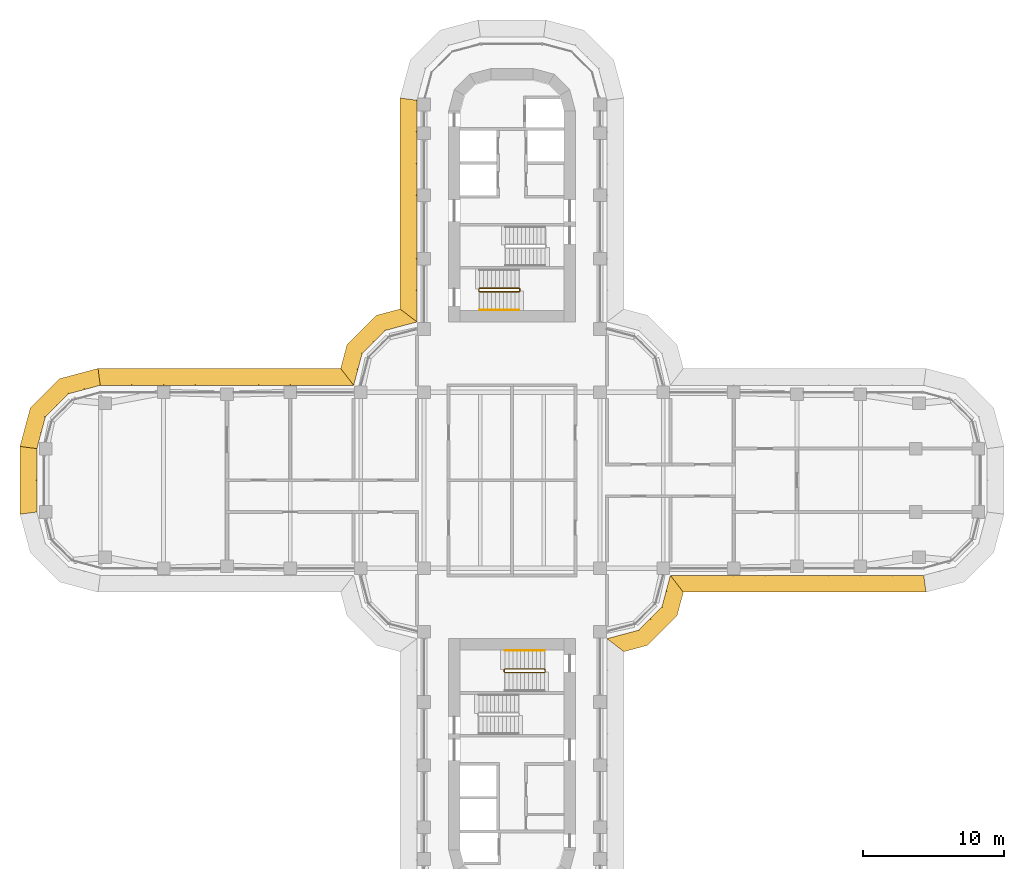
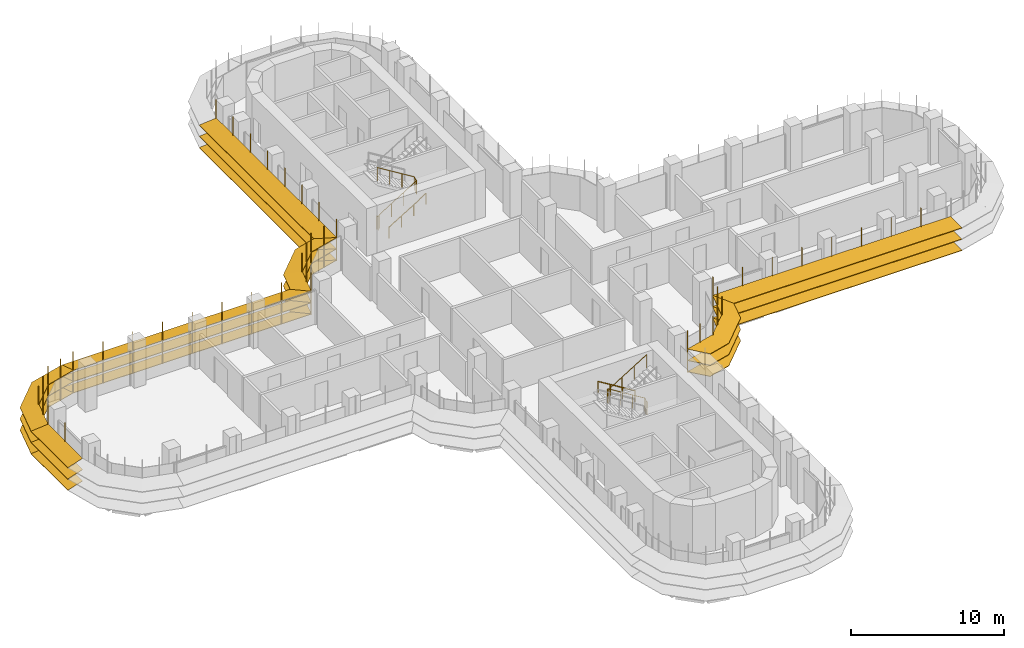
# One storey, part 20 of 22: 7 shading devices, 4 railings.
"""IFC4 building model written with IfcOpenShell, lengths in metres."""

from ifc_helpers import new_model, si_unit, direction, frame, origin, origin_2d, place, context, subcontext, project, spatial, polyline, circle, outline, extrude, faceted_brep, source, transform, mapped, material, type_object, element, save


model = new_model("IFC4")

# Units and contexts
model_context = context("Model", 3, precision=1e-05, world=origin(), true_north=direction((0.0, 1.0)))
body_context = subcontext(model_context, "Body", "Model", "MODEL_VIEW")
ifc_project = project(units=[si_unit("LENGTHUNIT", "METRE"), si_unit("AREAUNIT", "SQUARE_METRE"), si_unit("VOLUMEUNIT", "CUBIC_METRE"), si_unit("PLANEANGLEUNIT", "RADIAN"), si_unit("MASSUNIT", "GRAM", prefix="KILO")], contexts=[model_context])

# Site, building, storey
site_placement = place(None, origin())
site = spatial("IfcSite", under=ifc_project, at=site_placement, CompositionType="ELEMENT")
building_placement = place(site_placement, origin())
building = spatial("IfcBuilding", under=site, at=building_placement, Name="Zarbagh Exchange Tower", CompositionType="ELEMENT")
storey_placement = place(building_placement, frame((0.0, 0.0, 109.39990234375)))
storey = spatial("IfcBuildingStorey", under=building, at=storey_placement, Name="L25", CompositionType="ELEMENT", Elevation=109.39990234375)

# Railings
ifc_material_1 = material(Name="Stainless steel", Category="steel")
railing_type_1 = type_object("IfcRailingType", Name="Stair guard 1100 mm", PredefinedType="GUARDRAIL", material=ifc_material_1)
railing_1_placement = place(storey_placement, frame((-2.35009765625, 13.60009765625, 0.0)))
element("IfcRailing", 1, at=railing_1_placement, inside=storey, type_object=railing_type_1, Name="ST2 stair guard 1", PredefinedType="GUARDRAIL", context=body_context, shape_type="SweptSolid", body=[
    extrude(circle(Radius=0.02392578125, at=origin_2d()), frame((0.0, 0.0, 1.076171875), z_axis=(0.0, -1.0, 0.0), x_axis=(1.0, 0.0, 0.0)), (0.0, 0.0, 1.0), 0.150146484375),
    extrude(circle(Radius=0.02392578125, at=origin_2d()), frame((0.0, -0.150146484375, 1.076171875), z_axis=(0.267953482034, -0.267953482034, 0.925419830635), x_axis=(0.707106781187, 0.707106781187, 0.0)), (0.0, 0.0, 1.0), 0.186767578125),
    extrude(circle(Radius=0.02392578125, at=origin_2d()), frame((0.050048828125, -0.2001953125, 1.2490234375), z_axis=(0.851089632645, 0.0, 0.525020415988), x_axis=(0.0, 1.0, 0.0)), (0.0, 0.0, 1.0), 3.2900390625),
    extrude(circle(Radius=0.02392578125, at=origin_2d()), frame((2.85009765625, -0.2001953125, 2.97607421875), z_axis=(0.707106781187, 0.707106781187, 0.0), x_axis=(-0.707106781187, 0.707106781187, 0.0)), (0.0, 0.0, 1.0), 0.07080078125),
    extrude(circle(Radius=0.02392578125, at=origin_2d()), frame((2.900146484375, -0.150146484375, 2.97607421875), z_axis=(0.0, 1.0, 0.0), x_axis=(-1.0, 0.0, 0.0)), (0.0, 0.0, 1.0), 0.150146484375),
    extrude(circle(Radius=0.02392578125, at=origin_2d()), frame((2.900146484375, 0.0, 2.97607421875), z_axis=(-0.268371968888, 0.267062837333, 0.925556009775), x_axis=(-0.705375805398, -0.708833529934, 0.0)), (0.0, 0.0, 1.0), 0.1865234375),
    extrude(circle(Radius=0.02392578125, at=origin_2d()), frame((2.85009765625, 0.0498046875, 3.14892578125), z_axis=(-0.851089632645, 0.0, 0.525020415988), x_axis=(0.0, -1.0, 0.0)), (0.0, 0.0, 1.0), 3.2900390625),
    extrude(circle(Radius=0.02099609375, at=origin_2d()), origin(), (0.0, 0.0, 1.0), 1.052001953125),
    extrude(circle(Radius=0.02099609375, at=origin_2d()), frame((0.0, -0.150146484375, 0.0)), (0.0, 0.0, 1.0), 1.052001953125),
    extrude(circle(Radius=0.02099609375, at=origin_2d()), frame((0.050048828125, -0.2001953125, 0.1728515625)), (0.0, 0.0, 1.0), 1.052001953125),
    extrude(circle(Radius=0.02099609375, at=origin_2d()), frame((0.9833984375, -0.2001953125, 0.74853515625)), (0.0, 0.0, 1.0), 1.052001953125),
    extrude(circle(Radius=0.02099609375, at=origin_2d()), frame((1.916748046875, -0.2001953125, 1.324462890625)), (0.0, 0.0, 1.0), 1.052001953125),
    extrude(circle(Radius=0.02099609375, at=origin_2d()), frame((2.85009765625, -0.2001953125, 1.900146484375)), (0.0, 0.0, 1.0), 1.052001953125),
    extrude(circle(Radius=0.02099609375, at=origin_2d()), frame((2.900146484375, -0.150146484375, 1.900146484375)), (0.0, 0.0, 1.0), 1.052001953125),
    extrude(circle(Radius=0.02099609375, at=origin_2d()), frame((2.900146484375, 0.0, 1.900146484375)), (0.0, 0.0, 1.0), 1.052001953125),
    extrude(circle(Radius=0.02099609375, at=origin_2d()), frame((2.85009765625, 0.0498046875, 2.07275390625)), (0.0, 0.0, 1.0), 1.052001953125),
    extrude(circle(Radius=0.02099609375, at=origin_2d()), frame((1.916748046875, 0.0498046875, 2.6484375)), (0.0, 0.0, 1.0), 1.052001953125),
    extrude(circle(Radius=0.02099609375, at=origin_2d()), frame((0.9833984375, 0.0498046875, 3.224365234375)), (0.0, 0.0, 1.0), 1.052001953125),
    extrude(circle(Radius=0.02099609375, at=origin_2d()), frame((0.050048828125, 0.0498046875, 3.800048828125)), (0.0, 0.0, 1.0), 1.052001953125),
])
railing_2_placement = place(storey_placement, frame((2.35009765625, -13.60009765625, 0.0)))
element("IfcRailing", 2, at=railing_2_placement, inside=storey, type_object=railing_type_1, Name="ST4 stair guard 1", PredefinedType="GUARDRAIL", context=body_context, shape_type="SweptSolid", body=[
    extrude(circle(Radius=0.02392578125, at=origin_2d()), frame((0.0, 0.0, 1.076171875), z_axis=(0.0, 1.0, 0.0), x_axis=(-1.0, 0.0, 0.0)), (0.0, 0.0, 1.0), 0.150146484375),
    extrude(circle(Radius=0.02392578125, at=origin_2d()), frame((0.0, 0.150146484375, 1.076171875), z_axis=(-0.267953482034, 0.267953482034, 0.925419830635), x_axis=(-0.707106781187, -0.707106781187, 0.0)), (0.0, 0.0, 1.0), 0.186767578125),
    extrude(circle(Radius=0.02392578125, at=origin_2d()), frame((-0.050048828125, 0.2001953125, 1.2490234375), z_axis=(-0.851089632645, 0.0, 0.525020415988), x_axis=(0.0, -1.0, 0.0)), (0.0, 0.0, 1.0), 3.2900390625),
    extrude(circle(Radius=0.02392578125, at=origin_2d()), frame((-2.85009765625, 0.2001953125, 2.97607421875), z_axis=(-0.707106781187, -0.707106781187, 0.0), x_axis=(0.707106781187, -0.707106781187, 0.0)), (0.0, 0.0, 1.0), 0.07080078125),
    extrude(circle(Radius=0.02392578125, at=origin_2d()), frame((-2.900146484375, 0.150146484375, 2.97607421875), z_axis=(0.0, -1.0, 0.0), x_axis=(1.0, 0.0, 0.0)), (0.0, 0.0, 1.0), 0.150146484375),
    extrude(circle(Radius=0.02392578125, at=origin_2d()), frame((-2.900146484375, 0.0, 2.97607421875), z_axis=(0.268371968888, -0.267062837333, 0.925556009775), x_axis=(0.705375805398, 0.708833529934, 0.0)), (0.0, 0.0, 1.0), 0.1865234375),
    extrude(circle(Radius=0.02392578125, at=origin_2d()), frame((-2.85009765625, -0.0498046875, 3.14892578125), z_axis=(0.851089632645, 0.0, 0.525020415988), x_axis=(0.0, 1.0, 0.0)), (0.0, 0.0, 1.0), 3.2900390625),
    extrude(circle(Radius=0.02099609375, at=origin_2d()), origin(), (0.0, 0.0, 1.0), 1.052001953125),
    extrude(circle(Radius=0.02099609375, at=origin_2d()), frame((0.0, 0.150146484375, 0.0)), (0.0, 0.0, 1.0), 1.052001953125),
    extrude(circle(Radius=0.02099609375, at=origin_2d()), frame((-0.050048828125, 0.2001953125, 0.1728515625)), (0.0, 0.0, 1.0), 1.052001953125),
    extrude(circle(Radius=0.02099609375, at=origin_2d()), frame((-0.9833984375, 0.2001953125, 0.74853515625)), (0.0, 0.0, 1.0), 1.052001953125),
    extrude(circle(Radius=0.02099609375, at=origin_2d()), frame((-1.916748046875, 0.2001953125, 1.324462890625)), (0.0, 0.0, 1.0), 1.052001953125),
    extrude(circle(Radius=0.02099609375, at=origin_2d()), frame((-2.85009765625, 0.2001953125, 1.900146484375)), (0.0, 0.0, 1.0), 1.052001953125),
    extrude(circle(Radius=0.02099609375, at=origin_2d()), frame((-2.900146484375, 0.150146484375, 1.900146484375)), (0.0, 0.0, 1.0), 1.052001953125),
    extrude(circle(Radius=0.02099609375, at=origin_2d()), frame((-2.900146484375, 0.0, 1.900146484375)), (0.0, 0.0, 1.0), 1.052001953125),
    extrude(circle(Radius=0.02099609375, at=origin_2d()), frame((-2.85009765625, -0.0498046875, 2.07275390625)), (0.0, 0.0, 1.0), 1.052001953125),
    extrude(circle(Radius=0.02099609375, at=origin_2d()), frame((-1.916748046875, -0.0498046875, 2.6484375)), (0.0, 0.0, 1.0), 1.052001953125),
    extrude(circle(Radius=0.02099609375, at=origin_2d()), frame((-0.9833984375, -0.0498046875, 3.224365234375)), (0.0, 0.0, 1.0), 1.052001953125),
    extrude(circle(Radius=0.02099609375, at=origin_2d()), frame((-0.050048828125, -0.0498046875, 3.800048828125)), (0.0, 0.0, 1.0), 1.052001953125),
])
railing_type_2 = type_object("IfcRailingType", Name="Stair handrail 900 mm", PredefinedType="HANDRAIL", material=ifc_material_1)
railing_3_placement = place(storey_placement, frame((-2.300048828125, 12.10009765625, 0.1728515625)))
element("IfcRailing", 3, at=railing_3_placement, inside=storey, type_object=railing_type_2, Name="ST2 stair handrail 1", PredefinedType="HANDRAIL", context=body_context, shape_type="SweptSolid", body=[
    extrude(circle(Radius=0.02392578125, at=origin_2d()), frame((0.0, 0.0, 0.8759765625), z_axis=(0.851089632645, 0.0, 0.525020415988), x_axis=(0.0, 1.0, 0.0)), (0.0, 0.0, 1.0), 3.2900390625),
    extrude(circle(Radius=0.02099609375, at=origin_2d()), origin(), (0.0, 0.0, 1.0), 0.851806640625),
    extrude(circle(Radius=0.02099609375, at=origin_2d()), frame((0.933349609375, 0.0, 0.57568359375)), (0.0, 0.0, 1.0), 0.851806640625),
    extrude(circle(Radius=0.02099609375, at=origin_2d()), frame((1.86669921875, 0.0, 1.151611328125)), (0.0, 0.0, 1.0), 0.851806640625),
    extrude(circle(Radius=0.02099609375, at=origin_2d()), frame((2.800048828125, 0.0, 1.727294921875)), (0.0, 0.0, 1.0), 0.851806640625),
])
railing_4_placement = place(storey_placement, frame((2.300048828125, -12.10009765625, 0.1728515625)))
element("IfcRailing", 4, at=railing_4_placement, inside=storey, type_object=railing_type_2, Name="ST4 stair handrail 1", PredefinedType="HANDRAIL", context=body_context, shape_type="SweptSolid", body=[
    extrude(circle(Radius=0.02392578125, at=origin_2d()), frame((0.0, 0.0, 0.8759765625), z_axis=(-0.851089632645, 0.0, 0.525020415988), x_axis=(0.0, -1.0, 0.0)), (0.0, 0.0, 1.0), 3.2900390625),
    extrude(circle(Radius=0.02099609375, at=origin_2d()), origin(), (0.0, 0.0, 1.0), 0.851806640625),
    extrude(circle(Radius=0.02099609375, at=origin_2d()), frame((-0.933349609375, 0.0, 0.57568359375)), (0.0, 0.0, 1.0), 0.851806640625),
    extrude(circle(Radius=0.02099609375, at=origin_2d()), frame((-1.86669921875, 0.0, 1.151611328125)), (0.0, 0.0, 1.0), 0.851806640625),
    extrude(circle(Radius=0.02099609375, at=origin_2d()), frame((-2.800048828125, 0.0, 1.727294921875)), (0.0, 0.0, 1.0), 0.851806640625),
])

# Shading devices
ifc_material_2 = material(Name="Anodised aluminium blades and brackets", Category="aluminium")
shading_device_type = type_object("IfcShadingDeviceType", Name="SUNSHADE louvre band, 11.25 degree blades", PredefinedType="JALOUSIE", material=ifc_material_2)
shared_shape_1 = source(origin(), body_context, "Body", "Brep", [
    faceted_brep([(0.0, 0.0, 0.0), (0.0, 0.0, -0.040771484375), (-0.157958984375, -1.199951171875, -0.279541015625), (-0.157958984375, -1.199951171875, -0.23876953125), (2.65087890625, -1.199951171875, -0.23876953125), (2.65087890625, -1.199951171875, -0.279541015625), (2.329345703125, 0.0, -0.040771484375), (2.329345703125, 0.0, 0.0)], [[[0, 1, 2, 3]], [[4, 5, 6, 7]], [[0, 7, 6, 1]], [[1, 6, 5, 2]], [[2, 5, 4, 3]], [[3, 4, 7, 0]]]),
])
shared_shape_2 = source(origin(), body_context, "Body", "Brep", [
    faceted_brep([(0.0, 0.0, 0.0), (0.0, 0.0, -0.040771484375), (-0.321533203125, -1.199951171875, -0.279541015625), (-0.321533203125, -1.199951171875, -0.23876953125), (2.65087890625, -1.199951171875, -0.23876953125), (2.65087890625, -1.199951171875, -0.279541015625), (2.329345703125, 0.0, -0.040771484375), (2.329345703125, 0.0, 0.0)], [[[0, 1, 2, 3]], [[4, 5, 6, 7]], [[0, 7, 6, 1]], [[1, 6, 5, 2]], [[2, 5, 4, 3]], [[3, 4, 7, 0]]]),
])
shared_shape_3 = source(origin(), body_context, "Body", "Brep", [
    faceted_brep([(0.0, 0.0, 0.0), (0.0, 0.0, -0.040771484375), (-0.321533203125, -1.199951171875, -0.279541015625), (-0.321533203125, -1.199951171875, -0.23876953125), (2.4873046875, -1.199951171875, -0.23876953125), (2.4873046875, -1.199951171875, -0.279541015625), (2.329345703125, 0.0, -0.040771484375), (2.329345703125, 0.0, 0.0)], [[[0, 1, 2, 3]], [[4, 5, 6, 7]], [[0, 7, 6, 1]], [[1, 6, 5, 2]], [[2, 5, 4, 3]], [[3, 4, 7, 0]]]),
])
shared_shape_4 = source(origin(), body_context, "Body", "SweptSolid", [
    extrude(outline(polyline([(0.0, -0.012451171875), (0.06005859375, -0.012451171875), (0.06005859375, 0.012451171875), (0.0, 0.012451171875), (0.0, -0.012451171875)])), origin(), (0.0, 0.0, 1.0), 3.350830078125),
])
placement = place(storey_placement, origin())
element("IfcShadingDevice", 5, at=placement, inside=storey, type_object=shading_device_type, Name="SS17 sunshade band", PredefinedType="JALOUSIE", context=body_context, shape_type="MappedRepresentation", body=[
    mapped(shared_shape_1, transform((-29.25, 6.75, 2.300048828125), x_axis=(-0.965924289636, -0.258824779902, 0.0), y_axis=(0.258824779902, -0.965924289636, 0.0), z_axis=(0.0, 0.0, 1.0))),
    mapped(shared_shape_1, transform((-29.25, 6.75, 1.400146484375), x_axis=(-0.965924289636, -0.258824779902, 0.0), y_axis=(0.258824779902, -0.965924289636, 0.0), z_axis=(0.0, 0.0, 1.0))),
    mapped(shared_shape_1, transform((-29.25, 6.75, 0.5), x_axis=(-0.965924289636, -0.258824779902, 0.0), y_axis=(0.258824779902, -0.965924289636, 0.0), z_axis=(0.0, 0.0, 1.0))),
    mapped(shared_shape_2, transform((-31.5, 6.147216796875, 2.300048828125), x_axis=(-0.707106781187, -0.707106781187, 0.0), y_axis=(0.707106781187, -0.707106781187, 0.0), z_axis=(0.0, 0.0, 1.0))),
    mapped(shared_shape_2, transform((-31.5, 6.147216796875, 1.400146484375), x_axis=(-0.707106781187, -0.707106781187, 0.0), y_axis=(0.707106781187, -0.707106781187, 0.0), z_axis=(0.0, 0.0, 1.0))),
    mapped(shared_shape_2, transform((-31.5, 6.147216796875, 0.5), x_axis=(-0.707106781187, -0.707106781187, 0.0), y_axis=(0.707106781187, -0.707106781187, 0.0), z_axis=(0.0, 0.0, 1.0))),
    mapped(shared_shape_3, transform((-33.147216796875, 4.5, 2.300048828125), x_axis=(-0.258824779902, -0.965924289636, 0.0), y_axis=(0.965924289636, -0.258824779902, 0.0), z_axis=(0.0, 0.0, 1.0))),
    mapped(shared_shape_3, transform((-33.147216796875, 4.5, 1.400146484375), x_axis=(-0.258824779902, -0.965924289636, 0.0), y_axis=(0.965924289636, -0.258824779902, 0.0), z_axis=(0.0, 0.0, 1.0))),
    mapped(shared_shape_3, transform((-33.147216796875, 4.5, 0.5), x_axis=(-0.258824779902, -0.965924289636, 0.0), y_axis=(0.965924289636, -0.258824779902, 0.0), z_axis=(0.0, 0.0, 1.0))),
    mapped(shared_shape_4, transform((-29.25, 6.75, 0.42919921875), x_axis=(-0.130529263012, 0.991444457092, 0.0), y_axis=(-0.991444457092, -0.130529263012, 0.0), z_axis=(0.0, 0.0, 1.0))),
    mapped(shared_shape_4, transform((-30.375, 6.448486328125, 0.42919921875), x_axis=(-0.258825058029, 0.96592421511, 0.0), y_axis=(-0.96592421511, -0.258825058029, 0.0), z_axis=(0.0, 0.0, 1.0))),
    mapped(shared_shape_4, transform((-31.5, 6.147216796875, 0.42919921875), x_axis=(-0.50000275701, 0.866023812018, 0.0), y_axis=(-0.866023812018, -0.50000275701, 0.0), z_axis=(0.0, 0.0, 1.0))),
    mapped(shared_shape_4, transform((-32.323486328125, 5.323486328125, 0.42919921875), x_axis=(-0.707106781187, 0.707106781187, 0.0), y_axis=(-0.707106781187, -0.707106781187, 0.0), z_axis=(0.0, 0.0, 1.0))),
    mapped(shared_shape_4, transform((-33.147216796875, 4.5, 0.42919921875), x_axis=(-0.866023812018, 0.50000275701, 0.0), y_axis=(-0.50000275701, -0.866023812018, 0.0), z_axis=(0.0, 0.0, 1.0))),
    mapped(shared_shape_4, transform((-33.448486328125, 3.375, 0.42919921875), x_axis=(-0.96592421511, 0.258825058029, 0.0), y_axis=(-0.258825058029, -0.96592421511, 0.0), z_axis=(0.0, 0.0, 1.0))),
])
shared_shape_5 = source(origin(), body_context, "Body", "Brep", [
    faceted_brep([(0.0, 0.0, 0.0), (0.0, 0.0, -0.040771484375), (0.9208984375, -1.199951171875, -0.279541015625), (0.9208984375, -1.199951171875, -0.23876953125), (2.65087890625, -1.199951171875, -0.23876953125), (2.65087890625, -1.199951171875, -0.279541015625), (2.329345703125, 0.0, -0.040771484375), (2.329345703125, 0.0, 0.0)], [[[0, 1, 2, 3]], [[4, 5, 6, 7]], [[0, 7, 6, 1]], [[1, 6, 5, 2]], [[2, 5, 4, 3]], [[3, 4, 7, 0]]]),
])
shared_shape_6 = source(origin(), body_context, "Body", "Brep", [
    faceted_brep([(0.0, 0.0, 0.0), (0.0, 0.0, -0.040771484375), (-0.321533203125, -1.199951171875, -0.279541015625), (-0.321533203125, -1.199951171875, -0.23876953125), (1.40869140625, -1.199951171875, -0.23876953125), (1.40869140625, -1.199951171875, -0.279541015625), (2.329345703125, 0.0, -0.040771484375), (2.329345703125, 0.0, 0.0)], [[[0, 1, 2, 3]], [[4, 5, 6, 7]], [[0, 7, 6, 1]], [[1, 6, 5, 2]], [[2, 5, 4, 3]], [[3, 4, 7, 0]]]),
])
element("IfcShadingDevice", 6, at=placement, inside=storey, type_object=shading_device_type, Name="SS03 sunshade band", PredefinedType="JALOUSIE", context=body_context, shape_type="MappedRepresentation", body=[
    mapped(shared_shape_5, transform((6.75, -11.25, 2.300048828125), x_axis=(0.965924289636, 0.258824779902, 0.0), y_axis=(-0.258824779902, 0.965924289636, 0.0), z_axis=(0.0, 0.0, 1.0))),
    mapped(shared_shape_5, transform((6.75, -11.25, 1.400146484375), x_axis=(0.965924289636, 0.258824779902, 0.0), y_axis=(-0.258824779902, 0.965924289636, 0.0), z_axis=(0.0, 0.0, 1.0))),
    mapped(shared_shape_5, transform((6.75, -11.25, 0.5), x_axis=(0.965924289636, 0.258824779902, 0.0), y_axis=(-0.258824779902, 0.965924289636, 0.0), z_axis=(0.0, 0.0, 1.0))),
    mapped(shared_shape_2, transform((9.0, -10.647216796875, 2.300048828125), x_axis=(0.707106781187, 0.707106781187, 0.0), y_axis=(-0.707106781187, 0.707106781187, 0.0), z_axis=(0.0, 0.0, 1.0))),
    mapped(shared_shape_2, transform((9.0, -10.647216796875, 1.400146484375), x_axis=(0.707106781187, 0.707106781187, 0.0), y_axis=(-0.707106781187, 0.707106781187, 0.0), z_axis=(0.0, 0.0, 1.0))),
    mapped(shared_shape_2, transform((9.0, -10.647216796875, 0.5), x_axis=(0.707106781187, 0.707106781187, 0.0), y_axis=(-0.707106781187, 0.707106781187, 0.0), z_axis=(0.0, 0.0, 1.0))),
    mapped(shared_shape_6, transform((10.647216796875, -9.0, 2.300048828125), x_axis=(0.258824779902, 0.965924289636, 0.0), y_axis=(-0.965924289636, 0.258824779902, 0.0), z_axis=(0.0, 0.0, 1.0))),
    mapped(shared_shape_6, transform((10.647216796875, -9.0, 1.400146484375), x_axis=(0.258824779902, 0.965924289636, 0.0), y_axis=(-0.965924289636, 0.258824779902, 0.0), z_axis=(0.0, 0.0, 1.0))),
    mapped(shared_shape_6, transform((10.647216796875, -9.0, 0.5), x_axis=(0.258824779902, 0.965924289636, 0.0), y_axis=(-0.965924289636, 0.258824779902, 0.0), z_axis=(0.0, 0.0, 1.0))),
    mapped(shared_shape_4, transform((6.75, -11.25, 0.42919921875), x_axis=(0.793355287, -0.608758892, 0.0), y_axis=(0.608758892, 0.793355287, 0.0), z_axis=(0.0, 0.0, 1.0))),
    mapped(shared_shape_4, transform((7.875, -10.948486328125, 0.42919921875), x_axis=(0.258825058029, -0.96592421511, 0.0), y_axis=(0.96592421511, 0.258825058029, 0.0), z_axis=(0.0, 0.0, 1.0))),
    mapped(shared_shape_4, transform((9.0, -10.647216796875, 0.42919921875), x_axis=(0.50000275701, -0.866023812018, 0.0), y_axis=(0.866023812018, 0.50000275701, 0.0), z_axis=(0.0, 0.0, 1.0))),
    mapped(shared_shape_4, transform((9.823486328125, -9.823486328125, 0.42919921875), x_axis=(0.707106781187, -0.707106781187, 0.0), y_axis=(0.707106781187, 0.707106781187, 0.0), z_axis=(0.0, 0.0, 1.0))),
    mapped(shared_shape_4, transform((10.647216796875, -9.0, 0.42919921875), x_axis=(0.866023812018, -0.50000275701, 0.0), y_axis=(0.50000275701, 0.866023812018, 0.0), z_axis=(0.0, 0.0, 1.0))),
    mapped(shared_shape_4, transform((10.948486328125, -7.875, 0.42919921875), x_axis=(0.96592421511, -0.258825058029, 0.0), y_axis=(0.258825058029, 0.96592421511, 0.0), z_axis=(0.0, 0.0, 1.0))),
])
element("IfcShadingDevice", 7, at=placement, inside=storey, type_object=shading_device_type, Name="SS15 sunshade band", PredefinedType="JALOUSIE", context=body_context, shape_type="MappedRepresentation", body=[
    mapped(shared_shape_5, transform((-6.75, 11.25, 2.300048828125), x_axis=(-0.965924289636, -0.258824779902, 0.0), y_axis=(0.258824779902, -0.965924289636, 0.0), z_axis=(0.0, 0.0, 1.0))),
    mapped(shared_shape_5, transform((-6.75, 11.25, 1.400146484375), x_axis=(-0.965924289636, -0.258824779902, 0.0), y_axis=(0.258824779902, -0.965924289636, 0.0), z_axis=(0.0, 0.0, 1.0))),
    mapped(shared_shape_5, transform((-6.75, 11.25, 0.5), x_axis=(-0.965924289636, -0.258824779902, 0.0), y_axis=(0.258824779902, -0.965924289636, 0.0), z_axis=(0.0, 0.0, 1.0))),
    mapped(shared_shape_2, transform((-9.0, 10.647216796875, 2.300048828125), x_axis=(-0.707106781187, -0.707106781187, 0.0), y_axis=(0.707106781187, -0.707106781187, 0.0), z_axis=(0.0, 0.0, 1.0))),
    mapped(shared_shape_2, transform((-9.0, 10.647216796875, 1.400146484375), x_axis=(-0.707106781187, -0.707106781187, 0.0), y_axis=(0.707106781187, -0.707106781187, 0.0), z_axis=(0.0, 0.0, 1.0))),
    mapped(shared_shape_2, transform((-9.0, 10.647216796875, 0.5), x_axis=(-0.707106781187, -0.707106781187, 0.0), y_axis=(0.707106781187, -0.707106781187, 0.0), z_axis=(0.0, 0.0, 1.0))),
    mapped(shared_shape_6, transform((-10.647216796875, 9.0, 2.300048828125), x_axis=(-0.258824779902, -0.965924289636, 0.0), y_axis=(0.965924289636, -0.258824779902, 0.0), z_axis=(0.0, 0.0, 1.0))),
    mapped(shared_shape_6, transform((-10.647216796875, 9.0, 1.400146484375), x_axis=(-0.258824779902, -0.965924289636, 0.0), y_axis=(0.965924289636, -0.258824779902, 0.0), z_axis=(0.0, 0.0, 1.0))),
    mapped(shared_shape_6, transform((-10.647216796875, 9.0, 0.5), x_axis=(-0.258824779902, -0.965924289636, 0.0), y_axis=(0.965924289636, -0.258824779902, 0.0), z_axis=(0.0, 0.0, 1.0))),
    mapped(shared_shape_4, transform((-6.75, 11.25, 0.42919921875), x_axis=(-0.793355287, 0.608758892, 0.0), y_axis=(-0.608758892, -0.793355287, 0.0), z_axis=(0.0, 0.0, 1.0))),
    mapped(shared_shape_4, transform((-7.875, 10.948486328125, 0.42919921875), x_axis=(-0.258825058029, 0.96592421511, 0.0), y_axis=(-0.96592421511, -0.258825058029, 0.0), z_axis=(0.0, 0.0, 1.0))),
    mapped(shared_shape_4, transform((-9.0, 10.647216796875, 0.42919921875), x_axis=(-0.50000275701, 0.866023812018, 0.0), y_axis=(-0.866023812018, -0.50000275701, 0.0), z_axis=(0.0, 0.0, 1.0))),
    mapped(shared_shape_4, transform((-9.823486328125, 9.823486328125, 0.42919921875), x_axis=(-0.707106781187, 0.707106781187, 0.0), y_axis=(-0.707106781187, -0.707106781187, 0.0), z_axis=(0.0, 0.0, 1.0))),
    mapped(shared_shape_4, transform((-10.647216796875, 9.0, 0.42919921875), x_axis=(-0.866023812018, 0.50000275701, 0.0), y_axis=(-0.50000275701, -0.866023812018, 0.0), z_axis=(0.0, 0.0, 1.0))),
    mapped(shared_shape_4, transform((-10.948486328125, 7.875, 0.42919921875), x_axis=(-0.96592421511, 0.258825058029, 0.0), y_axis=(-0.258825058029, -0.96592421511, 0.0), z_axis=(0.0, 0.0, 1.0))),
])
shared_shape_7 = source(origin(), body_context, "Body", "Brep", [
    faceted_brep([(0.0, 0.0, 0.0), (0.0, 0.0, -0.040771484375), (0.9208984375, -1.199951171875, -0.279541015625), (0.9208984375, -1.199951171875, -0.23876953125), (18.157958984375, -1.199951171875, -0.23876953125), (18.157958984375, -1.199951171875, -0.279541015625), (18.0, 0.0, -0.040771484375), (18.0, 0.0, 0.0)], [[[0, 1, 2, 3]], [[4, 5, 6, 7]], [[0, 7, 6, 1]], [[1, 6, 5, 2]], [[2, 5, 4, 3]], [[3, 4, 7, 0]]]),
])
element("IfcShadingDevice", 8, at=placement, inside=storey, type_object=shading_device_type, Name="SS04 sunshade band", PredefinedType="JALOUSIE", context=body_context, shape_type="MappedRepresentation", body=[
    mapped(shared_shape_7, transform((11.25, -6.75, 2.300048828125), x_axis=(1.0, 0.0, 0.0), y_axis=(0.0, 1.0, 0.0), z_axis=(0.0, 0.0, 1.0))),
    mapped(shared_shape_7, transform((11.25, -6.75, 1.400146484375), x_axis=(1.0, 0.0, 0.0), y_axis=(0.0, 1.0, 0.0), z_axis=(0.0, 0.0, 1.0))),
    mapped(shared_shape_7, transform((11.25, -6.75, 0.5), x_axis=(1.0, 0.0, 0.0), y_axis=(0.0, 1.0, 0.0), z_axis=(0.0, 0.0, 1.0))),
    mapped(shared_shape_4, transform((11.25, -6.75, 0.42919921875), x_axis=(0.608758892, -0.793355287, 0.0), y_axis=(0.793355287, 0.608758892, 0.0), z_axis=(0.0, 0.0, 1.0))),
    mapped(shared_shape_4, transform((13.5, -6.75, 0.42919921875), x_axis=(0.0, -1.0, 0.0), y_axis=(1.0, 0.0, 0.0), z_axis=(0.0, 0.0, 1.0))),
    mapped(shared_shape_4, transform((15.75, -6.75, 0.42919921875), x_axis=(0.0, -1.0, 0.0), y_axis=(1.0, 0.0, 0.0), z_axis=(0.0, 0.0, 1.0))),
    mapped(shared_shape_4, transform((18.0, -6.75, 0.42919921875), x_axis=(0.0, -1.0, 0.0), y_axis=(1.0, 0.0, 0.0), z_axis=(0.0, 0.0, 1.0))),
    mapped(shared_shape_4, transform((20.25, -6.75, 0.42919921875), x_axis=(0.0, -1.0, 0.0), y_axis=(1.0, 0.0, 0.0), z_axis=(0.0, 0.0, 1.0))),
    mapped(shared_shape_4, transform((22.5, -6.75, 0.42919921875), x_axis=(0.0, -1.0, 0.0), y_axis=(1.0, 0.0, 0.0), z_axis=(0.0, 0.0, 1.0))),
    mapped(shared_shape_4, transform((24.75, -6.75, 0.42919921875), x_axis=(0.0, -1.0, 0.0), y_axis=(1.0, 0.0, 0.0), z_axis=(0.0, 0.0, 1.0))),
    mapped(shared_shape_4, transform((27.0, -6.75, 0.42919921875), x_axis=(0.0, -1.0, 0.0), y_axis=(1.0, 0.0, 0.0), z_axis=(0.0, 0.0, 1.0))),
])
shared_shape_8 = source(origin(), body_context, "Body", "Brep", [
    faceted_brep([(0.0, 0.0, 0.0), (0.0, 0.0, -0.040771484375), (-0.157958984375, -1.199951171875, -0.279541015625), (-0.157958984375, -1.199951171875, -0.23876953125), (14.8291015625, -1.199951171875, -0.23876953125), (14.8291015625, -1.199951171875, -0.279541015625), (15.75, 0.0, -0.040771484375), (15.75, 0.0, 0.0)], [[[0, 1, 2, 3]], [[4, 5, 6, 7]], [[0, 7, 6, 1]], [[1, 6, 5, 2]], [[2, 5, 4, 3]], [[3, 4, 7, 0]]]),
])
element("IfcShadingDevice", 9, at=placement, inside=storey, type_object=shading_device_type, Name="SS29 sunshade band", PredefinedType="JALOUSIE", context=body_context, shape_type="MappedRepresentation", body=[
    mapped(shared_shape_8, transform((-6.75, 27.0, 2.300048828125), x_axis=(0.0, -1.0, 0.0), y_axis=(1.0, 0.0, 0.0), z_axis=(0.0, 0.0, 1.0))),
    mapped(shared_shape_8, transform((-6.75, 27.0, 1.400146484375), x_axis=(0.0, -1.0, 0.0), y_axis=(1.0, 0.0, 0.0), z_axis=(0.0, 0.0, 1.0))),
    mapped(shared_shape_8, transform((-6.75, 27.0, 0.5), x_axis=(0.0, -1.0, 0.0), y_axis=(1.0, 0.0, 0.0), z_axis=(0.0, 0.0, 1.0))),
    mapped(shared_shape_4, transform((-6.75, 27.0, 0.42919921875), x_axis=(-0.991444457092, 0.130529263012, 0.0), y_axis=(-0.130529263012, -0.991444457092, 0.0), z_axis=(0.0, 0.0, 1.0))),
    mapped(shared_shape_4, transform((-6.75, 24.75, 0.42919921875), x_axis=(-1.0, 0.0, 0.0), y_axis=(0.0, -1.0, 0.0), z_axis=(0.0, 0.0, 1.0))),
    mapped(shared_shape_4, transform((-6.75, 22.5, 0.42919921875), x_axis=(-1.0, 0.0, 0.0), y_axis=(0.0, -1.0, 0.0), z_axis=(0.0, 0.0, 1.0))),
    mapped(shared_shape_4, transform((-6.75, 20.25, 0.42919921875), x_axis=(-1.0, 0.0, 0.0), y_axis=(0.0, -1.0, 0.0), z_axis=(0.0, 0.0, 1.0))),
    mapped(shared_shape_4, transform((-6.75, 18.0, 0.42919921875), x_axis=(-1.0, 0.0, 0.0), y_axis=(0.0, -1.0, 0.0), z_axis=(0.0, 0.0, 1.0))),
    mapped(shared_shape_4, transform((-6.75, 15.75, 0.42919921875), x_axis=(-1.0, 0.0, 0.0), y_axis=(0.0, -1.0, 0.0), z_axis=(0.0, 0.0, 1.0))),
    mapped(shared_shape_4, transform((-6.75, 13.5, 0.42919921875), x_axis=(-1.0, 0.0, 0.0), y_axis=(0.0, -1.0, 0.0), z_axis=(0.0, 0.0, 1.0))),
])
element("IfcShadingDevice", 10, at=placement, inside=storey, type_object=shading_device_type, Name="SS16 sunshade band", PredefinedType="JALOUSIE", context=body_context, shape_type="MappedRepresentation", body=[
    mapped(shared_shape_7, transform((-11.25, 6.75, 2.300048828125), x_axis=(-1.0, 0.0, 0.0), y_axis=(0.0, -1.0, 0.0), z_axis=(0.0, 0.0, 1.0))),
    mapped(shared_shape_7, transform((-11.25, 6.75, 1.400146484375), x_axis=(-1.0, 0.0, 0.0), y_axis=(0.0, -1.0, 0.0), z_axis=(0.0, 0.0, 1.0))),
    mapped(shared_shape_7, transform((-11.25, 6.75, 0.5), x_axis=(-1.0, 0.0, 0.0), y_axis=(0.0, -1.0, 0.0), z_axis=(0.0, 0.0, 1.0))),
    mapped(shared_shape_4, transform((-11.25, 6.75, 0.42919921875), x_axis=(-0.608758892, 0.793355287, 0.0), y_axis=(-0.793355287, -0.608758892, 0.0), z_axis=(0.0, 0.0, 1.0))),
    mapped(shared_shape_4, transform((-13.5, 6.75, 0.42919921875), x_axis=(0.0, 1.0, 0.0), y_axis=(-1.0, 0.0, 0.0), z_axis=(0.0, 0.0, 1.0))),
    mapped(shared_shape_4, transform((-15.75, 6.75, 0.42919921875), x_axis=(0.0, 1.0, 0.0), y_axis=(-1.0, 0.0, 0.0), z_axis=(0.0, 0.0, 1.0))),
    mapped(shared_shape_4, transform((-18.0, 6.75, 0.42919921875), x_axis=(0.0, 1.0, 0.0), y_axis=(-1.0, 0.0, 0.0), z_axis=(0.0, 0.0, 1.0))),
    mapped(shared_shape_4, transform((-20.25, 6.75, 0.42919921875), x_axis=(0.0, 1.0, 0.0), y_axis=(-1.0, 0.0, 0.0), z_axis=(0.0, 0.0, 1.0))),
    mapped(shared_shape_4, transform((-22.5, 6.75, 0.42919921875), x_axis=(0.0, 1.0, 0.0), y_axis=(-1.0, 0.0, 0.0), z_axis=(0.0, 0.0, 1.0))),
    mapped(shared_shape_4, transform((-24.75, 6.75, 0.42919921875), x_axis=(0.0, 1.0, 0.0), y_axis=(-1.0, 0.0, 0.0), z_axis=(0.0, 0.0, 1.0))),
    mapped(shared_shape_4, transform((-27.0, 6.75, 0.42919921875), x_axis=(0.0, 1.0, 0.0), y_axis=(-1.0, 0.0, 0.0), z_axis=(0.0, 0.0, 1.0))),
])
shared_shape_9 = source(origin(), body_context, "Body", "Brep", [
    faceted_brep([(0.0, 0.0, 0.0), (0.0, 0.0, -0.040771484375), (-0.157958984375, -1.199951171875, -0.279541015625), (-0.157958984375, -1.199951171875, -0.23876953125), (4.657958984375, -1.199951171875, -0.23876953125), (4.657958984375, -1.199951171875, -0.279541015625), (4.5, 0.0, -0.040771484375), (4.5, 0.0, 0.0)], [[[0, 1, 2, 3]], [[4, 5, 6, 7]], [[0, 7, 6, 1]], [[1, 6, 5, 2]], [[2, 5, 4, 3]], [[3, 4, 7, 0]]]),
])
element("IfcShadingDevice", 11, at=placement, inside=storey, type_object=shading_device_type, Name="SS18 sunshade band", PredefinedType="JALOUSIE", context=body_context, shape_type="MappedRepresentation", body=[
    mapped(shared_shape_9, transform((-33.75, 2.25, 2.300048828125), x_axis=(0.0, -1.0, 0.0), y_axis=(1.0, 0.0, 0.0), z_axis=(0.0, 0.0, 1.0))),
    mapped(shared_shape_9, transform((-33.75, 2.25, 1.400146484375), x_axis=(0.0, -1.0, 0.0), y_axis=(1.0, 0.0, 0.0), z_axis=(0.0, 0.0, 1.0))),
    mapped(shared_shape_9, transform((-33.75, 2.25, 0.5), x_axis=(0.0, -1.0, 0.0), y_axis=(1.0, 0.0, 0.0), z_axis=(0.0, 0.0, 1.0))),
    mapped(shared_shape_4, transform((-33.75, 2.25, 0.42919921875), x_axis=(-0.991444457092, 0.130529263012, 0.0), y_axis=(-0.130529263012, -0.991444457092, 0.0), z_axis=(0.0, 0.0, 1.0))),
    mapped(shared_shape_4, transform((-33.75, 0.0, 0.42919921875), x_axis=(-1.0, 0.0, 0.0), y_axis=(0.0, -1.0, 0.0), z_axis=(0.0, 0.0, 1.0))),
])

save(model, "model.ifc")
